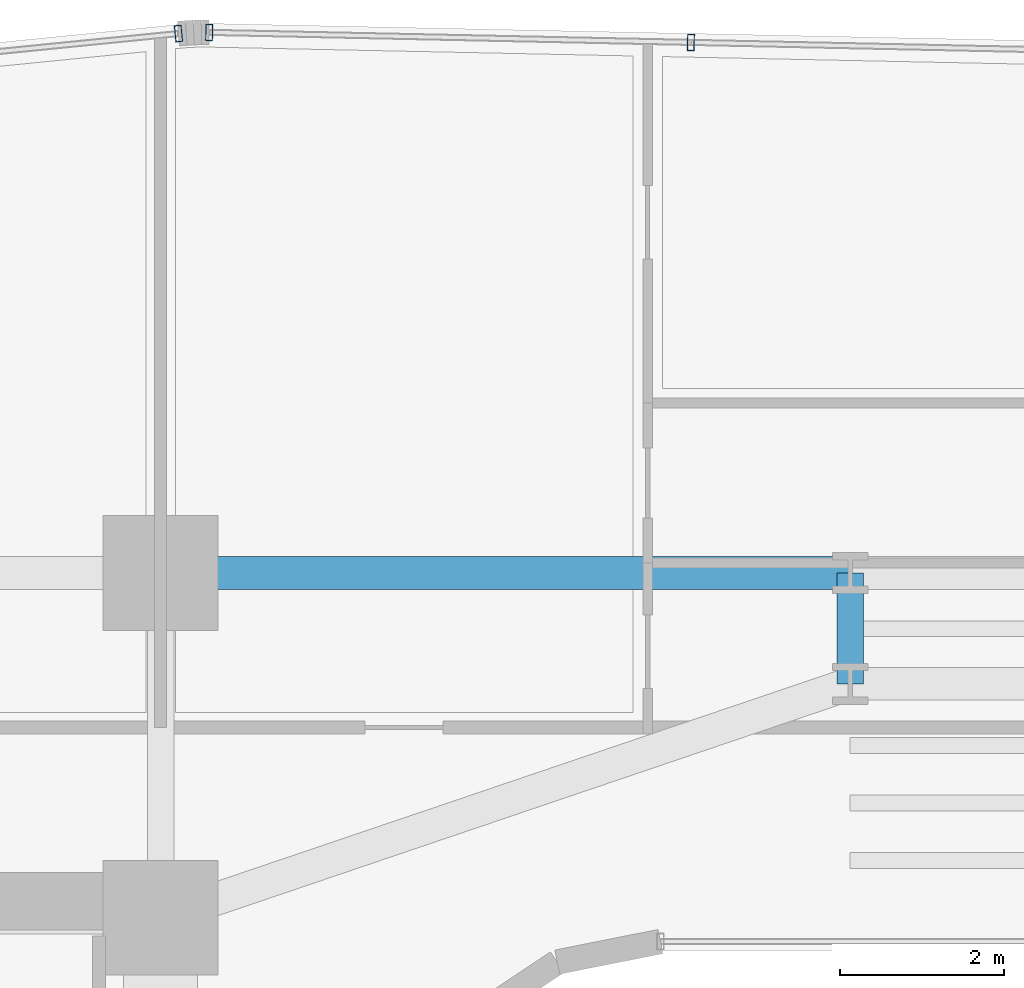
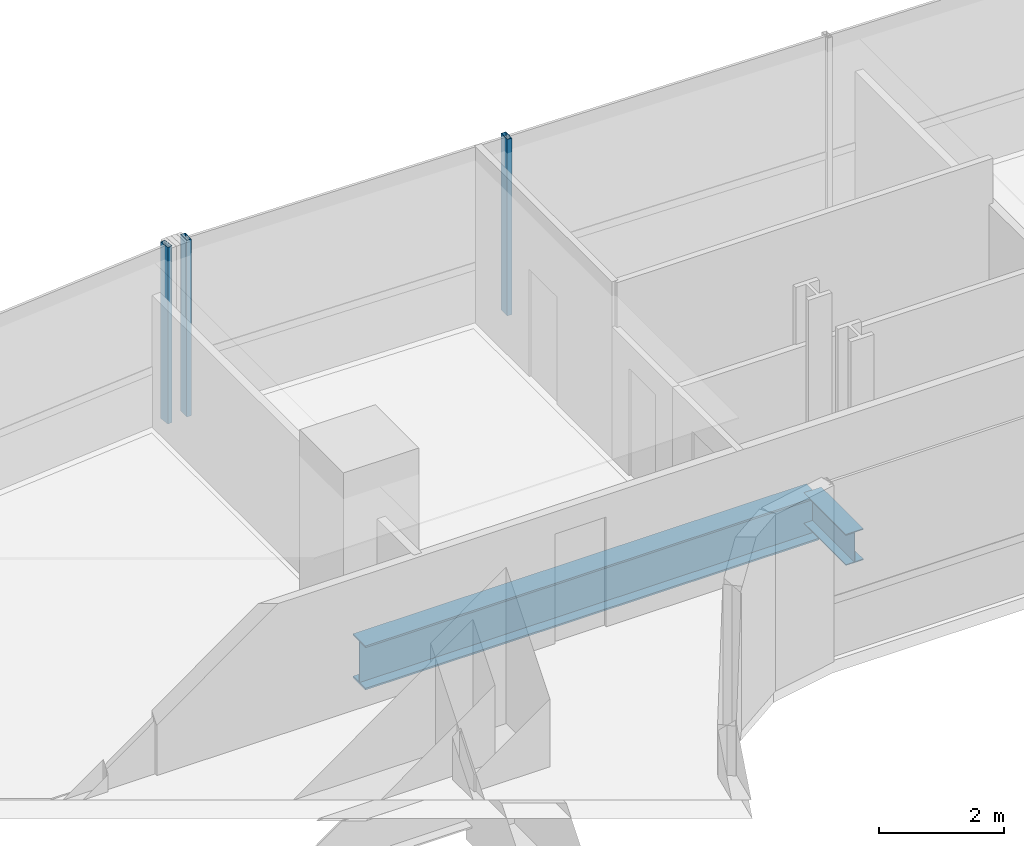
# One storey, part 21 of 41: 3 members, 2 beams, 2 elements without a shape of their own.
"""IFC4 building model written with IfcOpenShell, lengths in metres."""

from ifc_helpers import new_model, si_unit, direction, frame, origin, origin_2d, place, context, subcontext, project, spatial, hollow_rectangle, i_section, extrude, source, transform, mapped, material, material_profile, profile_set, type_object, element, aggregate, save


model = new_model("IFC4")

# Units and contexts
model_context = context("Model", 3, precision=1e-05, world=origin(), true_north=direction((0.0, 1.0)))
body_context = subcontext(model_context, "Body", "Model", "MODEL_VIEW")
ifc_project = project(units=[si_unit("LENGTHUNIT", "METRE"), si_unit("AREAUNIT", "SQUARE_METRE"), si_unit("VOLUMEUNIT", "CUBIC_METRE"), si_unit("PLANEANGLEUNIT", "RADIAN"), si_unit("MASSUNIT", "GRAM", prefix="KILO")], contexts=[model_context])

# Site, building, storey
site_placement = place(None, origin())
site = spatial("IfcSite", under=ifc_project, at=site_placement, CompositionType="ELEMENT")
building_placement = place(site_placement, origin())
building = spatial("IfcBuilding", under=site, at=building_placement, Name="Valdorenza Pilgrim Sanctuary Tower", CompositionType="ELEMENT")
storey_placement = place(building_placement, frame((0.0, 0.0, 85.199951171875)))
storey = spatial("IfcBuildingStorey", under=building, at=storey_placement, Name="L21", CompositionType="ELEMENT", Elevation=85.199951171875)

# Beams
ifc_material_1 = material(Name="Steel ASTM A992 Grade 50", Category="steel")
ifc_material_profile_1 = material_profile(ifc_material_1, i_section(OverallWidth=0.39990234375, OverallDepth=0.862060546875, WebThickness=0.019775390625, FlangeThickness=0.032470703125, at=origin_2d()), Name="W33X221")
ifc_profile_set_1 = profile_set([ifc_material_profile_1], Name="Steel ASTM A992 Grade 50")
beam_type_1 = type_object("IfcBeamType", Name="STR-BM-GRD-W33", PredefinedType="BEAM", material=ifc_profile_set_1)
shared_shape_1 = source(origin(), body_context, "Body", "SweptSolid", [
    extrude(i_section(OverallWidth=0.39990234375, OverallDepth=0.862060546875, WebThickness=0.019775390625, FlangeThickness=0.032470703125, at=origin_2d()), origin(), (0.0, 0.0, 1.0), 8.39990234375),
])
beam_1_placement = place(storey_placement, frame((-12.39990234375, 14.800048828125, -0.6708984375), z_axis=(1.0, 0.0, 0.0), x_axis=(0.0, 1.0, 0.0)))
element("IfcBeam", 1, at=beam_1_placement, inside=storey, type_object=beam_type_1, Name="L21 Floor Girder KNK-G4", PredefinedType="BEAM", context=body_context, shape_type="MappedRepresentation", body=[
    mapped(shared_shape_1, transform((0.0, 0.0, 0.0), x_axis=(1.0, 0.0, 0.0), y_axis=(0.0, 1.0, 0.0), z_axis=(0.0, 0.0, 1.0), scale=1.0)),
])
ifc_material_profile_2 = material_profile(ifc_material_1, i_section(OverallWidth=0.323974609375, OverallDepth=0.611083984375, WebThickness=0.0126953125, FlangeThickness=0.01904296875, at=origin_2d()), Name="W24X104")
ifc_profile_set_2 = profile_set([ifc_material_profile_2], Name="Steel ASTM A992 Grade 50")
beam_type_2 = type_object("IfcBeamType", Name="STR-BM-GRD-W24B", PredefinedType="BEAM", material=ifc_profile_set_2)
shared_shape_2 = source(origin(), body_context, "Body", "SweptSolid", [
    extrude(i_section(OverallWidth=0.323974609375, OverallDepth=0.611083984375, WebThickness=0.0126953125, FlangeThickness=0.01904296875, at=origin_2d()), origin(), (0.0, 0.0, 1.0), 1.35009765625),
])
beam_2_placement = place(storey_placement, frame((-4.0, 13.449951171875, -0.54541015625), z_axis=(0.0, 1.0, 0.0), x_axis=(-1.0, 0.0, 0.0)))
element("IfcBeam", 2, at=beam_2_placement, inside=storey, type_object=beam_type_2, Name="L21 Floor Girder KNK-TIE-W", PredefinedType="BEAM", context=body_context, shape_type="MappedRepresentation", body=[
    mapped(shared_shape_2, transform((0.0, 0.0, 0.0), x_axis=(1.0, 0.0, 0.0), y_axis=(0.0, 1.0, 0.0), z_axis=(0.0, 0.0, 1.0), scale=1.0)),
])

# Curtain wall, member
ifc_material_2 = material(Name="Curtain-wall IGU glazing", Category="glass")
curtain_wall_type = type_object("IfcCurtainWallType", Name="CW-SYS-02", PredefinedType="NOTDEFINED", material=ifc_material_2)
curtain_wall_1_placement = place(storey_placement, origin())
curtain_wall_1 = element("IfcCurtainWall", 3, at=curtain_wall_1_placement, inside=storey, type_object=curtain_wall_type, Name="L21 Curtain Wall CW-L21-1-6", PredefinedType="NOTDEFINED")
ifc_material_3 = material(Name="Anodised aluminium AW-6060", Category="aluminium")
ifc_material_profile_3 = material_profile(ifc_material_3, hollow_rectangle(XDim=0.0849609375, YDim=0.199951171875, WallThickness=0.0048828125, at=origin_2d()), Name="ALU-M 200x85x5")
ifc_profile_set_3 = profile_set([ifc_material_profile_3], Name="Anodised aluminium AW-6060")
member_type = type_object("IfcMemberType", Name="CW-MUL-02", PredefinedType="MULLION", material=ifc_profile_set_3)
shared_shape_3 = source(origin(), body_context, "Body", "SweptSolid", [
    extrude(hollow_rectangle(XDim=0.0849609375, YDim=0.199951171875, WallThickness=0.0048828125, at=origin_2d()), origin(), (0.0, 0.0, 1.0), 3.4599609375),
])
member_1_placement = place(storey_placement, frame((-12.181884765625, 21.371337890625, 0.0), z_axis=(0.0, 0.0, 1.0), x_axis=(0.995038220239, 0.099493418189, 0.0)))
member_1 = element("IfcMember", 4, at=member_1_placement, type_object=member_type, Name="CW-L21-1-6 Mullion 4", PredefinedType="MULLION", context=body_context, shape_type="MappedRepresentation", body=[
    mapped(shared_shape_3, transform((0.0, 0.0, 0.0), x_axis=(1.0, 0.0, 0.0), y_axis=(0.0, 1.0, 0.0), z_axis=(0.0, 0.0, 1.0), scale=1.0)),
])
aggregate(curtain_wall_1, [member_1])

# Curtain wall, members
curtain_wall_2_placement = place(storey_placement, origin())
curtain_wall_2 = element("IfcCurtainWall", 5, at=curtain_wall_2_placement, inside=storey, type_object=curtain_wall_type, Name="L21 Curtain Wall CW-L21-1-11", PredefinedType="NOTDEFINED")
member_2_placement = place(storey_placement, frame((-11.808349609375, 21.385986328125, 0.0), z_axis=(0.0, 0.0, 1.0), x_axis=(0.999783234613, -0.020820273474, 0.0)))
member_2 = element("IfcMember", 6, at=member_2_placement, type_object=member_type, Name="CW-L21-1-11 Mullion 1", PredefinedType="MULLION", context=body_context, shape_type="MappedRepresentation", body=[
    mapped(shared_shape_3, transform((0.0, 0.0, 0.0), x_axis=(1.0, 0.0, 0.0), y_axis=(0.0, 1.0, 0.0), z_axis=(0.0, 0.0, 1.0), scale=1.0)),
])
member_3_placement = place(storey_placement, frame((-5.93994140625, 21.263671875, 0.0), z_axis=(0.0, 0.0, 1.0), x_axis=(0.999783234613, -0.020820273474, 0.0)))
member_3 = element("IfcMember", 7, at=member_3_placement, type_object=member_type, Name="CW-L21-1-11 Mullion 2", PredefinedType="MULLION", context=body_context, shape_type="MappedRepresentation", body=[
    mapped(shared_shape_3, transform((0.0, 0.0, 0.0), x_axis=(1.0, 0.0, 0.0), y_axis=(0.0, 1.0, 0.0), z_axis=(0.0, 0.0, 1.0), scale=1.0)),
])
aggregate(curtain_wall_2, [member_2, member_3])

save(model, "model.ifc")
